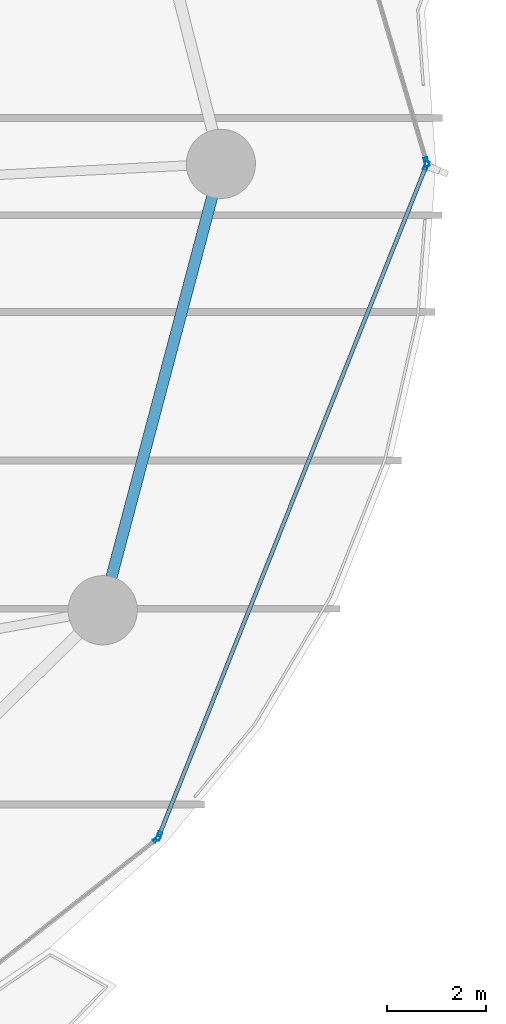
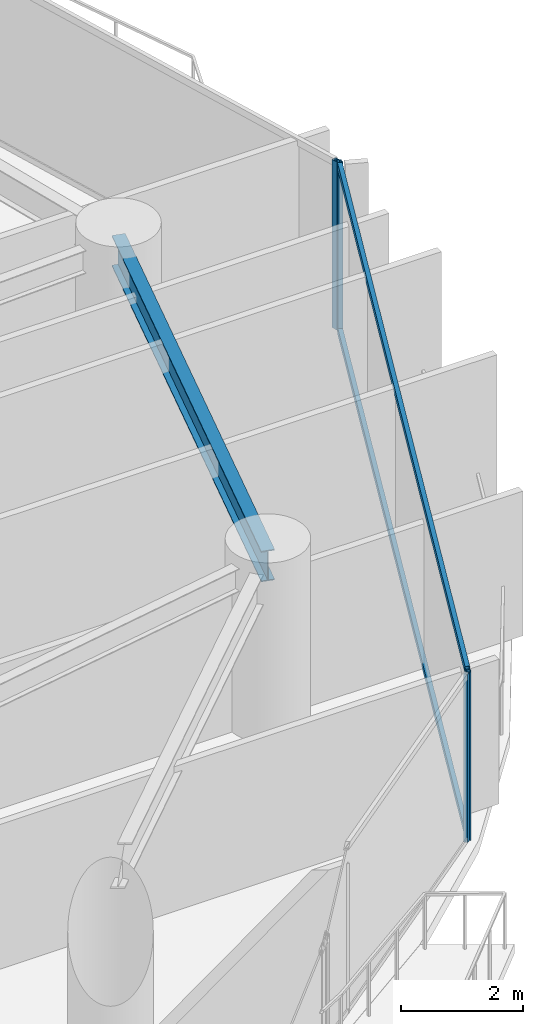
# One storey, part 23 of 33: 6 members, 1 beam, 3 elements without a shape of their own.
"""IFC4 building model written with IfcOpenShell, lengths in metres."""

from ifc_helpers import new_model, si_unit, direction, frame, origin, origin_2d, place, context, subcontext, project, spatial, hollow_rectangle, i_section, extrude, material, layer, layer_set, material_profile, profile_set, type_object, element, aggregate, save


model = new_model("IFC4")

# Units and contexts
model_context = context("Model", 3, precision=1e-05, world=origin(), true_north=direction((0.0, 1.0)))
body_context = subcontext(model_context, "Body", "Model", "MODEL_VIEW")
ifc_project = project(units=[si_unit("LENGTHUNIT", "METRE"), si_unit("AREAUNIT", "SQUARE_METRE"), si_unit("VOLUMEUNIT", "CUBIC_METRE"), si_unit("PLANEANGLEUNIT", "RADIAN"), si_unit("MASSUNIT", "GRAM", prefix="KILO")], contexts=[model_context])

# Site, building, storey
site_placement = place(None, origin())
site = spatial("IfcSite", under=ifc_project, at=site_placement, CompositionType="ELEMENT")
building_placement = place(site_placement, origin())
building = spatial("IfcBuilding", under=site, at=building_placement, Name="Kazevale Care Tower and Concert Hall", CompositionType="ELEMENT")
storey_placement = place(building_placement, frame((0.0, 0.0, 52.800048828125)))
storey = spatial("IfcBuildingStorey", under=building, at=storey_placement, Name="L13", CompositionType="ELEMENT", Elevation=52.800048828125)

# Curtain wall, members
ifc_material_1 = material(Name="Aluminium 6063-T6 and Low-E Glass", Category="aluminium")
ifc_layer_1 = layer(ifc_material_1, 0.179931640625)
ifc_layer_set_1 = layer_set([ifc_layer_1], Name="Aluminium 6063-T6 and Low-E Glass")
curtain_wall_type_1 = type_object("IfcCurtainWallType", Name="Waist & Upper Residential Curtain Wall CW-4", PredefinedType="NOTDEFINED", material=ifc_layer_set_1)
curtain_wall_1_placement = place(storey_placement, origin())
curtain_wall_1 = element("IfcCurtainWall", 1, at=curtain_wall_1_placement, inside=storey, type_object=curtain_wall_type_1, Name="cw:L13:f01", PredefinedType="NOTDEFINED")
ifc_material_2 = material(Name="Aluminium 6063-T6", Category="aluminium")
ifc_material_profile_1 = material_profile(ifc_material_2, hollow_rectangle(XDim=0.080078125, YDim=0.179931640625, WallThickness=0.0048828125, at=origin_2d()), Name="ALU80x180x5")
ifc_profile_set_1 = profile_set([ifc_material_profile_1], Name="Aluminium 6063-T6")
member_type_1 = type_object("IfcMemberType", Name="CW-4 Mullion ALU80x180x5", PredefinedType="MULLION", material=ifc_profile_set_1)
member_1_placement = place(storey_placement, frame((80.605224609375, 37.962890625, 0.0), z_axis=(0.0, 0.0, 1.0), x_axis=(0.928861412274, -0.370427424456, 0.0)))
member_1 = element("IfcMember", 2, at=member_1_placement, type_object=member_type_1, Name="CW-4 mullion 1", PredefinedType="MULLION", context=body_context, shape_type="SweptSolid", body=[
    extrude(hollow_rectangle(XDim=0.080078125, YDim=0.179931640625, WallThickness=0.0048828125, at=origin_2d()), origin(), (0.0, 0.0, 1.0), 3.35986328125),
])
member_2_placement = place(storey_placement, frame((75.19677734375, 24.401123046875, 0.0), z_axis=(0.0, 0.0, 1.0), x_axis=(0.928861412274, -0.370427424456, 0.0)))
member_2 = element("IfcMember", 3, at=member_2_placement, type_object=member_type_1, Name="CW-4 mullion 2", PredefinedType="MULLION", context=body_context, shape_type="SweptSolid", body=[
    extrude(hollow_rectangle(XDim=0.080078125, YDim=0.179931640625, WallThickness=0.0048828125, at=origin_2d()), origin(), (0.0, 0.0, 1.0), 3.35986328125),
])

# Curtain wall, member
curtain_wall_2_placement = place(storey_placement, origin())
curtain_wall_2 = element("IfcCurtainWall", 4, at=curtain_wall_2_placement, inside=storey, type_object=curtain_wall_type_1, Name="cw:L13:f18", PredefinedType="NOTDEFINED")
member_3_placement = place(storey_placement, frame((80.608642578125, 38.038330078125, 0.0), z_axis=(0.0, 0.0, 1.0), x_axis=(0.959173119586, 0.282819600918, 0.0)))
member_3 = element("IfcMember", 5, at=member_3_placement, type_object=member_type_1, Name="CW-4 mullion 2", PredefinedType="MULLION", context=body_context, shape_type="SweptSolid", body=[
    extrude(hollow_rectangle(XDim=0.080078125, YDim=0.179931640625, WallThickness=0.0048828125, at=origin_2d()), origin(), (0.0, 0.0, 1.0), 3.35986328125),
])
aggregate(curtain_wall_2, [member_3])

# Member
ifc_material_profile_2 = material_profile(ifc_material_2, hollow_rectangle(XDim=0.080078125, YDim=0.139892578125, WallThickness=0.00390625, at=origin_2d()), Name="ALU80x140x4")
ifc_profile_set_2 = profile_set([ifc_material_profile_2], Name="Aluminium 6063-T6")
member_type_2 = type_object("IfcMemberType", Name="CW-4 Transom ALU80x140x4", PredefinedType="USERDEFINED", material=ifc_profile_set_2)
member_4_placement = place(storey_placement, frame((80.59033203125, 37.92578125, 0.0400390625), z_axis=(-0.370419345682, -0.928864634026, 0.0), x_axis=(0.928864634026, -0.370419345682, 0.0)))
member_4 = element("IfcMember", 6, at=member_4_placement, type_object=member_type_2, Name="CW-4 transom 1.1", ObjectType="TRANSOM", PredefinedType="USERDEFINED", context=body_context, shape_type="SweptSolid", body=[
    extrude(hollow_rectangle(XDim=0.080078125, YDim=0.139892578125, WallThickness=0.00390625, at=origin_2d()), origin(), (0.0, 0.0, 1.0), 14.5205078125),
])

member_5_placement = place(storey_placement, frame((80.59033203125, 37.92578125, 3.320068359375), z_axis=(-0.370419345682, -0.928864634026, 0.0), x_axis=(0.928864634026, -0.370419345682, 0.0)))
member_5 = element("IfcMember", 7, at=member_5_placement, type_object=member_type_2, Name="CW-4 transom 1.2", ObjectType="TRANSOM", PredefinedType="USERDEFINED", context=body_context, shape_type="SweptSolid", body=[
    extrude(hollow_rectangle(XDim=0.080078125, YDim=0.139892578125, WallThickness=0.00390625, at=origin_2d()), origin(), (0.0, 0.0, 1.0), 14.5205078125),
])

aggregate(curtain_wall_1, [member_1, member_2, member_4, member_5])

# Curtain wall, member
ifc_layer_2 = layer(ifc_material_1, 0.179931640625)
ifc_layer_set_2 = layer_set([ifc_layer_2], Name="Aluminium 6063-T6 and Low-E Glass")
curtain_wall_type_2 = type_object("IfcCurtainWallType", Name="Sheltered Concave Balcony Curtain Wall CW-5", PredefinedType="NOTDEFINED", material=ifc_layer_set_2)
curtain_wall_3_placement = place(storey_placement, origin())
curtain_wall_3 = element("IfcCurtainWall", 8, at=curtain_wall_3_placement, inside=storey, type_object=curtain_wall_type_2, Name="cw:L13:f02", PredefinedType="NOTDEFINED")
ifc_material_profile_3 = material_profile(ifc_material_2, hollow_rectangle(XDim=0.074951171875, YDim=0.14990234375, WallThickness=0.00390625, at=origin_2d()), Name="ALU75x150x4")
ifc_profile_set_3 = profile_set([ifc_material_profile_3], Name="Aluminium 6063-T6")
member_type_3 = type_object("IfcMemberType", Name="CW-5 Mullion ALU75x150x4", PredefinedType="MULLION", material=ifc_profile_set_3)
member_6_placement = place(storey_placement, frame((75.152587890625, 24.3408203125, 0.0), z_axis=(0.0, 0.0, 1.0), x_axis=(0.617807548814, -0.78632934107, 0.0)))
member_6 = element("IfcMember", 9, at=member_6_placement, type_object=member_type_3, Name="CW-5 mullion 1", PredefinedType="MULLION", context=body_context, shape_type="SweptSolid", body=[
    extrude(hollow_rectangle(XDim=0.074951171875, YDim=0.14990234375, WallThickness=0.00390625, at=origin_2d()), origin(), (0.0, 0.0, 1.0), 3.35986328125),
])
aggregate(curtain_wall_3, [member_6])

# Beam
ifc_material_3 = material(Name="Steel ASTM A572 Gr 50", Category="steel")
ifc_material_profile_4 = material_profile(ifc_material_3, i_section(OverallWidth=0.22900390625, OverallDepth=0.612060546875, WebThickness=0.011962890625, FlangeThickness=0.01953125, at=origin_2d()), Name="W610x125")
ifc_profile_set_4 = profile_set([ifc_material_profile_4], Name="Steel ASTM A572 Gr 50")
beam_type = type_object("IfcBeamType", Name="Ring Spandrel Beam W610x125", PredefinedType="SPANDREL", material=ifc_profile_set_4)
beam_placement = place(storey_placement, frame((74.06005859375, 28.969970703125, 3.053955078125), z_axis=(0.255851611973, 0.966716066201, 0.0), x_axis=(-0.966716066201, 0.255851611973, 0.0)))
element("IfcBeam", 10, at=beam_placement, inside=storey, type_object=beam_type, Name="beam:L13:ring:16", PredefinedType="SPANDREL", context=body_context, shape_type="SweptSolid", body=[
    extrude(i_section(OverallWidth=0.22900390625, OverallDepth=0.612060546875, WebThickness=0.011962890625, FlangeThickness=0.01953125, at=origin_2d()), origin(), (0.0, 0.0, 1.0), 9.3408203125),
])

save(model, "model.ifc")
